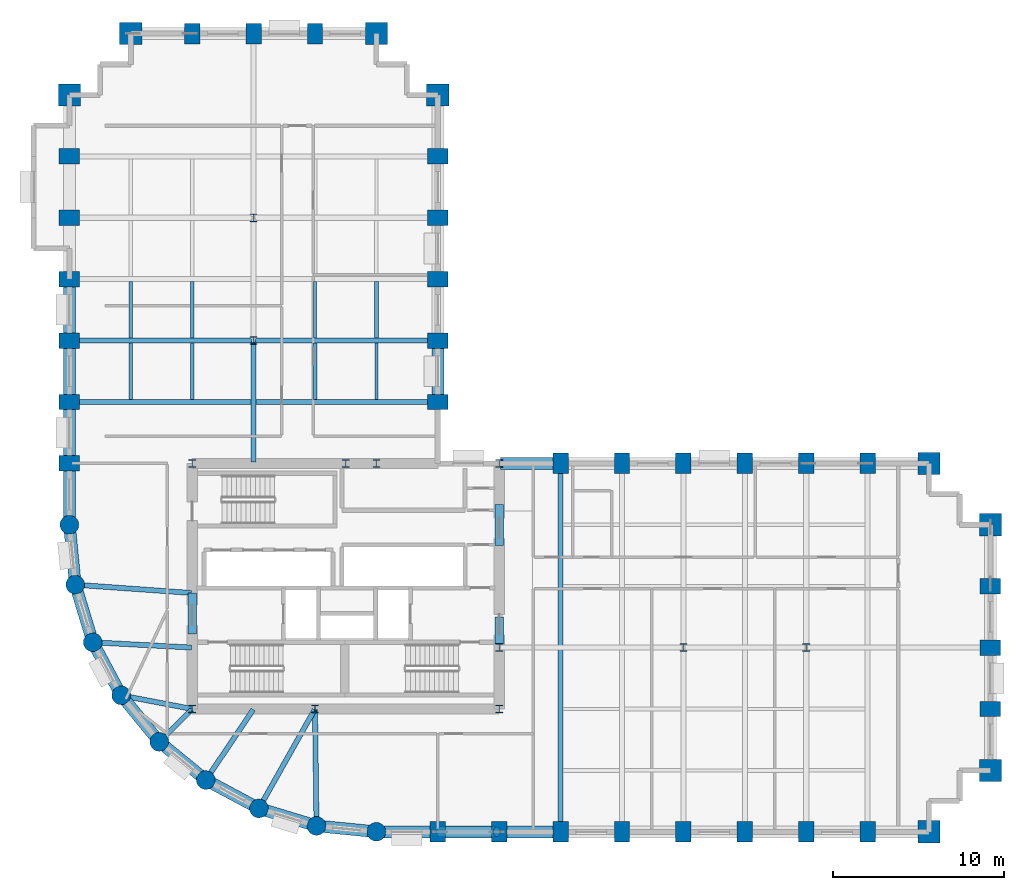
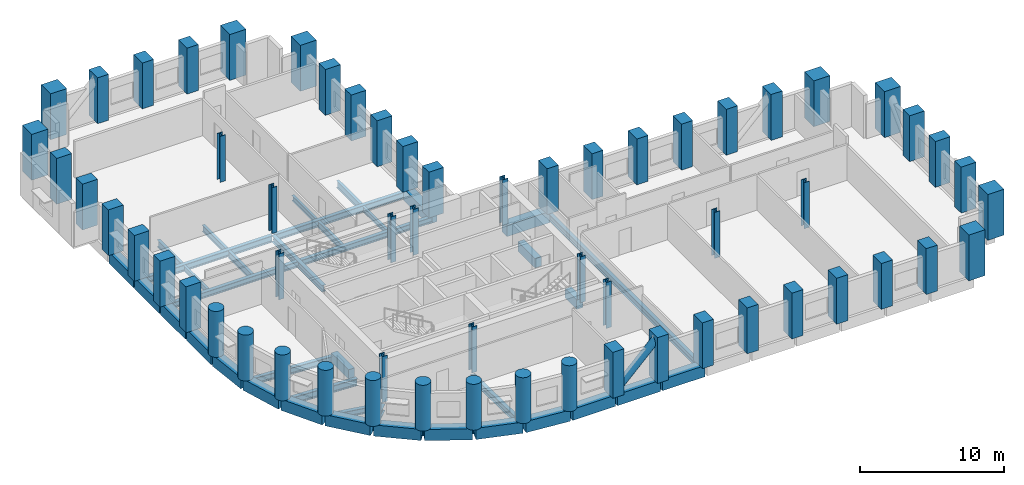
# One storey, part 1 of 11: 60 columns, 40 beams, 1 member.
"""IFC4 building model written with IfcOpenShell, lengths in metres."""

from ifc_helpers import new_model, si_unit, direction, frame, origin, origin_2d, place, context, subcontext, project, spatial, rectangle, circle, hollow_circle, i_section, extrude, material, material_profile, profile_set, type_object, element, save


model = new_model("IFC4")

# Units and contexts
model_context = context("Model", 3, precision=1e-05, world=origin(), true_north=direction((0.0, 1.0)))
body_context = subcontext(model_context, "Body", "Model", "MODEL_VIEW")
ifc_project = project(units=[si_unit("LENGTHUNIT", "METRE"), si_unit("AREAUNIT", "SQUARE_METRE"), si_unit("VOLUMEUNIT", "CUBIC_METRE"), si_unit("PLANEANGLEUNIT", "RADIAN"), si_unit("MASSUNIT", "GRAM", prefix="KILO")], contexts=[model_context])

# Site, building, storey
site_placement = place(None, origin())
site = spatial("IfcSite", under=ifc_project, at=site_placement, CompositionType="ELEMENT")
building_placement = place(site_placement, origin())
building = spatial("IfcBuilding", under=site, at=building_placement, Name="Solnavia Interchange Tower", CompositionType="ELEMENT")
storey_placement = place(building_placement, frame((0.0, 0.0, 55.199951171875)))
storey = spatial("IfcBuildingStorey", under=building, at=storey_placement, Name="L13", CompositionType="ELEMENT", Elevation=55.199951171875)

# Columns
ifc_material_1 = material(Name="Concrete C60/75", Category="concrete")
ifc_material_profile_1 = material_profile(ifc_material_1, rectangle(XDim=0.89990234375, YDim=1.199951171875, at=origin_2d()), Name="RC 1200x900")
ifc_profile_set_1 = profile_set([ifc_material_profile_1], Name="Concrete C60/75")
column_type_1 = type_object("IfcColumnType", Name="Col-RC-1200x900", PredefinedType="COLUMN", material=ifc_profile_set_1)
for number, where, z_axis, x_axis, name in (
    (1, (7.199951171875, 25.199951171875, 0.0), (0.0, 0.0, 1.0), (0.0, 1.0, 0.0), "COL-L13-02 Tower perim y column"),
    (2, (7.199951171875, 28.800048828125, 0.0), (0.0, 0.0, 1.0), (0.0, 1.0, 0.0), "COL-L13-03 Tower perim y column"),
    (3, (7.199951171875, 32.39990234375, 0.0), (0.0, 0.0, 1.0), (0.0, 1.0, 0.0), "COL-L13-04 Tower perim y column"),
    (4, (7.199951171875, 36.0, 0.0), (0.0, 0.0, 1.0), (0.0, 1.0, 0.0), "COL-L13-05 Tower perim y column"),
    (5, (7.199951171875, 39.60009765625, 0.0), (0.0, 0.0, 1.0), (0.0, 1.0, 0.0), "COL-L13-06 Tower perim y column"),
    (6, (7.199951171875, 43.199951171875, 0.0), (0.0, 0.0, 1.0), (0.0, 1.0, 0.0), "COL-L13-07 Tower perim y column"),
    (7, (14.39990234375, 50.39990234375, 0.0), (0.0, 0.0, 1.0), (1.0, 0.0, 0.0), "COL-L13-16 Tower perim x column"),
    (8, (18.0, 50.39990234375, 0.0), (0.0, 0.0, 1.0), (1.0, 0.0, 0.0), "COL-L13-20 Tower perim x column"),
    (9, (21.60009765625, 50.39990234375, 0.0), (0.0, 0.0, 1.0), (1.0, 0.0, 0.0), "COL-L13-23 Tower perim x column"),
    (10, (28.800048828125, 3.60009765625, 0.0), (0.0, 0.0, 1.0), (1.0, 0.0, 0.0), "COL-L13-29 Tower perim x column"),
    (11, (28.800048828125, 28.800048828125, 0.0), (0.0, 0.0, 1.0), (0.0, 1.0, 0.0), "COL-L13-30 Tower perim y column"),
    (12, (28.800048828125, 32.39990234375, 0.0), (0.0, 0.0, 1.0), (0.0, 1.0, 0.0), "COL-L13-31 Tower perim y column"),
    (13, (28.800048828125, 36.0, 0.0), (0.0, 0.0, 1.0), (0.0, 1.0, 0.0), "COL-L13-32 Tower perim y column"),
    (14, (28.800048828125, 39.60009765625, 0.0), (0.0, 0.0, 1.0), (0.0, 1.0, 0.0), "COL-L13-33 Tower perim y column"),
    (15, (28.800048828125, 43.199951171875, 0.0), (0.0, 0.0, 1.0), (0.0, 1.0, 0.0), "COL-L13-34 Tower perim y column"),
    (16, (32.39990234375, 3.60009765625, 0.0), (0.0, 0.0, 1.0), (1.0, 0.0, 0.0), "COL-L13-36 Tower perim x column"),
    (17, (36.0, 3.60009765625, 0.0), (0.0, 0.0, 1.0), (1.0, 0.0, 0.0), "COL-L13-40 Tower perim x column"),
    (18, (36.0, 25.199951171875, 0.0), (0.0, 0.0, 1.0), (1.0, 0.0, 0.0), "COL-L13-41 Tower perim x column"),
    (19, (39.60009765625, 3.60009765625, 0.0), (0.0, 0.0, 1.0), (1.0, 0.0, 0.0), "COL-L13-42 Tower perim x column"),
    (20, (39.60009765625, 25.199951171875, 0.0), (0.0, 0.0, 1.0), (1.0, 0.0, 0.0), "COL-L13-43 Tower perim x column"),
    (21, (43.199951171875, 3.60009765625, 0.0), (0.0, 0.0, 1.0), (1.0, 0.0, 0.0), "COL-L13-44 Tower perim x column"),
    (22, (43.199951171875, 25.199951171875, 0.0), (0.0, 0.0, 1.0), (1.0, 0.0, 0.0), "COL-L13-46 Tower perim x column"),
    (23, (46.800048828125, 3.60009765625, 0.0), (0.0, 0.0, 1.0), (1.0, 0.0, 0.0), "COL-L13-47 Tower perim x column"),
    (24, (46.800048828125, 25.199951171875, 0.0), (0.0, 0.0, 1.0), (1.0, 0.0, 0.0), "COL-L13-48 Tower perim x column"),
    (25, (50.39990234375, 3.60009765625, 0.0), (0.0, 0.0, 1.0), (1.0, 0.0, 0.0), "COL-L13-49 Tower perim x column"),
    (26, (50.39990234375, 25.199951171875, 0.0), (0.0, 0.0, 1.0), (1.0, 0.0, 0.0), "COL-L13-51 Tower perim x column"),
    (27, (54.0, 3.60009765625, 0.0), (0.0, 0.0, 1.0), (1.0, 0.0, 0.0), "COL-L13-52 Tower perim x column"),
    (28, (54.0, 25.199951171875, 0.0), (0.0, 0.0, 1.0), (1.0, 0.0, 0.0), "COL-L13-53 Tower perim x column"),
    (29, (61.199951171875, 10.800048828125, 0.0), (0.0, 0.0, 1.0), (0.0, 1.0, 0.0), "COL-L13-57 Tower perim y column"),
    (30, (61.199951171875, 14.39990234375, 0.0), (0.0, 0.0, 1.0), (0.0, 1.0, 0.0), "COL-L13-58 Tower perim y column"),
    (31, (61.199951171875, 18.0, 0.0), (0.0, 0.0, 1.0), (0.0, 1.0, 0.0), "COL-L13-59 Tower perim y column"),
):
    element("IfcColumn", number, at=place(storey_placement, frame(where, z_axis=z_axis, x_axis=x_axis)), inside=storey, type_object=column_type_1, Name=name, PredefinedType="COLUMN", context=body_context, shape_type="SweptSolid", body=[
        extrude(rectangle(XDim=0.89990234375, YDim=1.199951171875, at=origin_2d()), origin(), (0.0, 0.0, 1.0), 3.900146484375),
    ])
ifc_material_profile_2 = material_profile(ifc_material_1, rectangle(XDim=1.300048828125, YDim=1.300048828125, at=origin_2d()), Name="RC 1300x1300")
ifc_profile_set_2 = profile_set([ifc_material_profile_2], Name="Concrete C60/75")
column_type_2 = type_object("IfcColumnType", Name="Col-RC-1300x1300", PredefinedType="COLUMN", material=ifc_profile_set_2)
for number, where, z_axis, x_axis, name in (
    (32, (7.199951171875, 46.800048828125, 0.0), (0.0, 0.0, 1.0), (0.0, 1.0, 0.0), "COL-L13-08 Tower corner column"),
    (33, (10.800048828125, 50.39990234375, 0.0), (0.0, 0.0, 1.0), (1.0, 0.0, 0.0), "COL-L13-12 Tower corner column"),
    (34, (25.199951171875, 50.39990234375, 0.0), (0.0, 0.0, 1.0), (1.0, 0.0, 0.0), "COL-L13-28 Tower corner column"),
    (35, (28.800048828125, 46.800048828125, 0.0), (0.0, 0.0, 1.0), (0.0, 1.0, 0.0), "COL-L13-35 Tower corner column"),
    (36, (57.60009765625, 3.60009765625, 0.0), (0.0, 0.0, 1.0), (1.0, 0.0, 0.0), "COL-L13-54 Tower corner column"),
    (37, (57.60009765625, 25.199951171875, 0.0), (0.0, 0.0, 1.0), (1.0, 0.0, 0.0), "COL-L13-55 Tower corner column"),
    (38, (61.199951171875, 7.199951171875, 0.0), (0.0, 0.0, 1.0), (1.0, 0.0, 0.0), "COL-L13-56 Tower corner column"),
    (39, (61.199951171875, 21.60009765625, 0.0), (0.0, 0.0, 1.0), (0.0, 1.0, 0.0), "COL-L13-60 Tower corner column"),
):
    element("IfcColumn", number, at=place(storey_placement, frame(where, z_axis=z_axis, x_axis=x_axis)), inside=storey, type_object=column_type_2, Name=name, PredefinedType="COLUMN", context=body_context, shape_type="SweptSolid", body=[
        extrude(rectangle(XDim=1.300048828125, YDim=1.300048828125, at=origin_2d()), origin(), (0.0, 0.0, 1.0), 3.900146484375),
    ])
ifc_material_profile_3 = material_profile(ifc_material_1, circle(Radius=0.550048828125, at=origin_2d()), Name="RC D1100")
ifc_profile_set_3 = profile_set([ifc_material_profile_3], Name="Concrete C60/75")
column_type_3 = type_object("IfcColumnType", Name="Col-RC-D1100", PredefinedType="COLUMN", material=ifc_profile_set_3)
for number, where, z_axis, x_axis, name in (
    (40, (7.199951171875, 21.60009765625, 0.0), (0.0, 0.0, 1.0), (1.0, 0.0, 0.0), "COL-L13-01 Tower drum column"),
    (41, (7.5458984375, 18.087890625, 0.0), (0.0, 0.0, 1.0), (1.0, 0.0, 0.0), "COL-L13-09 Tower drum column"),
    (42, (8.570068359375, 14.7119140625, 0.0), (0.0, 0.0, 1.0), (1.0, 0.0, 0.0), "COL-L13-10 Tower drum column"),
    (43, (10.23388671875, 11.60009765625, 0.0), (0.0, 0.0, 1.0), (1.0, 0.0, 0.0), "COL-L13-11 Tower drum column"),
    (44, (12.471923828125, 8.8720703125, 0.0), (0.0, 0.0, 1.0), (1.0, 0.0, 0.0), "COL-L13-13 Tower drum column"),
    (45, (15.199951171875, 6.634033203125, 0.0), (0.0, 0.0, 1.0), (1.0, 0.0, 0.0), "COL-L13-17 Tower drum column"),
    (46, (18.31201171875, 4.969970703125, 0.0), (0.0, 0.0, 1.0), (1.0, 0.0, 0.0), "COL-L13-21 Tower drum column"),
    (47, (21.68798828125, 3.946044921875, 0.0), (0.0, 0.0, 1.0), (1.0, 0.0, 0.0), "COL-L13-24 Tower drum column"),
    (48, (25.199951171875, 3.60009765625, 0.0), (0.0, 0.0, 1.0), (1.0, 0.0, 0.0), "COL-L13-26 Tower drum column"),
):
    element("IfcColumn", number, at=place(storey_placement, frame(where, z_axis=z_axis, x_axis=x_axis)), inside=storey, type_object=column_type_3, Name=name, PredefinedType="COLUMN", context=body_context, shape_type="SweptSolid", body=[
        extrude(circle(Radius=0.550048828125, at=origin_2d()), origin(), (0.0, 0.0, 1.0), 3.900146484375),
    ])
ifc_material_2 = material(Name="Steel S355", Category="steel")
ifc_material_profile_4 = material_profile(ifc_material_2, i_section(OverallWidth=0.424072265625, OverallDepth=0.467041015625, WebThickness=0.032958984375, FlangeThickness=0.053466796875, FilletRadius=0.014892578125, at=origin_2d()), Name="HD 400x509")
ifc_profile_set_4 = profile_set([ifc_material_profile_4], Name="Steel S355")
column_type_4 = type_object("IfcColumnType", Name="Col-Steel-HD400x509", PredefinedType="COLUMN", material=ifc_profile_set_4)
for number, where, z_axis, x_axis, name in (
    (49, (14.39990234375, 10.800048828125, 0.0), (0.0, 0.0, 1.0), (1.0, 0.0, 0.0), "COL-L13-14 Tower interior column"),
    (50, (14.39990234375, 25.199951171875, 0.0), (0.0, 0.0, 1.0), (1.0, 0.0, 0.0), "COL-L13-15 Tower interior column"),
    (51, (18.0, 32.39990234375, 0.0), (0.0, 0.0, 1.0), (1.0, 0.0, 0.0), "COL-L13-18 Tower interior column"),
    (52, (18.0, 39.60009765625, 0.0), (0.0, 0.0, 1.0), (1.0, 0.0, 0.0), "COL-L13-19 Tower interior column"),
    (53, (21.60009765625, 10.800048828125, 0.0), (0.0, 0.0, 1.0), (1.0, 0.0, 0.0), "COL-L13-22 Tower interior column"),
    (54, (23.39990234375, 25.199951171875, 0.0), (0.0, 0.0, 1.0), (1.0, 0.0, 0.0), "COL-L13-25 Tower interior column"),
    (55, (25.199951171875, 25.199951171875, 0.0), (0.0, 0.0, 1.0), (1.0, 0.0, 0.0), "COL-L13-27 Tower interior column"),
    (56, (32.39990234375, 10.800048828125, 0.0), (0.0, 0.0, 1.0), (1.0, 0.0, 0.0), "COL-L13-37 Tower interior column"),
    (57, (32.39990234375, 14.39990234375, 0.0), (0.0, 0.0, 1.0), (1.0, 0.0, 0.0), "COL-L13-38 Tower interior column"),
    (58, (32.39990234375, 25.199951171875, 0.0), (0.0, 0.0, 1.0), (1.0, 0.0, 0.0), "COL-L13-39 Tower interior column"),
    (59, (43.199951171875, 14.39990234375, 0.0), (0.0, 0.0, 1.0), (1.0, 0.0, 0.0), "COL-L13-45 Tower interior column"),
    (60, (50.39990234375, 14.39990234375, 0.0), (0.0, 0.0, 1.0), (1.0, 0.0, 0.0), "COL-L13-50 Tower interior column"),
):
    element("IfcColumn", number, at=place(storey_placement, frame(where, z_axis=z_axis, x_axis=x_axis)), inside=storey, type_object=column_type_4, Name=name, PredefinedType="COLUMN", context=body_context, shape_type="SweptSolid", body=[
        extrude(i_section(OverallWidth=0.424072265625, OverallDepth=0.467041015625, WebThickness=0.032958984375, FlangeThickness=0.053466796875, FilletRadius=0.014892578125, at=origin_2d()), origin(), (0.0, 0.0, 1.0), 3.900146484375),
    ])

# Beams
ifc_material_3 = material(Name="Concrete C50/60", Category="concrete")
ifc_material_profile_5 = material_profile(ifc_material_3, rectangle(XDim=0.5, YDim=0.800048828125, at=origin_2d()), Name="RC 500x800")
ifc_profile_set_5 = profile_set([ifc_material_profile_5], Name="Concrete C50/60")
beam_type_1 = type_object("IfcBeamType", Name="Beam-Coupling-RC500x800", PredefinedType="LINTEL", material=ifc_profile_set_5)
beam_1_placement = place(storey_placement, frame((14.39990234375, 15.199951171875, -0.39990234375), z_axis=(0.0, 1.0, 0.0), x_axis=(-1.0, 0.0, 0.0)))
element("IfcBeam", 61, at=beam_1_placement, inside=storey, type_object=beam_type_1, Name="CPB-L13-W1 Core coupling lintel beam", PredefinedType="LINTEL", context=body_context, shape_type="SweptSolid", body=[
    extrude(rectangle(XDim=0.5, YDim=0.800048828125, at=origin_2d()), origin(), (0.0, 0.0, 1.0), 2.400146484375),
])
beam_2_placement = place(storey_placement, frame((32.39990234375, 14.60009765625, -0.39990234375), z_axis=(0.0, 1.0, 0.0), x_axis=(-1.0, 0.0, 0.0)))
element("IfcBeam", 62, at=beam_2_placement, inside=storey, type_object=beam_type_1, Name="CPB-L13-E1 Core coupling lintel beam", PredefinedType="LINTEL", context=body_context, shape_type="SweptSolid", body=[
    extrude(rectangle(XDim=0.5, YDim=0.800048828125, at=origin_2d()), origin(), (0.0, 0.0, 1.0), 1.599853515625),
])
beam_3_placement = place(storey_placement, frame((32.39990234375, 20.39990234375, -0.39990234375), z_axis=(0.0, 1.0, 0.0), x_axis=(-1.0, 0.0, 0.0)))
element("IfcBeam", 63, at=beam_3_placement, inside=storey, type_object=beam_type_1, Name="CPB-L13-E2 Core coupling lintel beam", PredefinedType="LINTEL", context=body_context, shape_type="SweptSolid", body=[
    extrude(rectangle(XDim=0.5, YDim=0.800048828125, at=origin_2d()), origin(), (0.0, 0.0, 1.0), 2.400146484375),
])
ifc_material_4 = material(Name="Steel S460", Category="steel")
ifc_material_profile_6 = material_profile(ifc_material_4, i_section(OverallWidth=0.300048828125, OverallDepth=0.550048828125, WebThickness=0.014892578125, FlangeThickness=0.029052734375, FilletRadius=0.027099609375, at=origin_2d()), Name="HEB 550")
ifc_profile_set_6 = profile_set([ifc_material_profile_6], Name="Steel S460")
beam_type_2 = type_object("IfcBeamType", Name="Beam-Girder-HEB550", PredefinedType="BEAM", material=ifc_profile_set_6)
beam_4_placement = place(storey_placement, frame((36.0, 3.679931640625, -0.52490234375), z_axis=(0.0, 1.0, 0.0), x_axis=(-1.0, 0.0, 0.0)))
element("IfcBeam", 64, at=beam_4_placement, inside=storey, type_object=beam_type_2, Name="GRD-L13-EW04 East wing primary floor girder", PredefinedType="BEAM", context=body_context, shape_type="SweptSolid", body=[
    extrude(i_section(OverallWidth=0.300048828125, OverallDepth=0.550048828125, WebThickness=0.014892578125, FlangeThickness=0.029052734375, FilletRadius=0.027099609375, at=origin_2d()), origin(), (0.0, 0.0, 1.0), 21.440185546875),
])
beam_5_placement = place(storey_placement, frame((18.0, 25.280029296875, -0.52490234375), z_axis=(0.0, 1.0, 0.0), x_axis=(-1.0, 0.0, 0.0)))
element("IfcBeam", 65, at=beam_5_placement, inside=storey, type_object=beam_type_2, Name="GRD-L13-NS12 North wing spine girder", PredefinedType="BEAM", context=body_context, shape_type="SweptSolid", body=[
    extrude(i_section(OverallWidth=0.300048828125, OverallDepth=0.550048828125, WebThickness=0.014892578125, FlangeThickness=0.029052734375, FilletRadius=0.027099609375, at=origin_2d()), origin(), (0.0, 0.0, 1.0), 7.0400390625),
])
for number, where, z_axis, x_axis, name in (
    (66, (7.280029296875, 32.39990234375, -0.52490234375), (1.0, 0.0, 0.0), (0.0, 1.0, 0.0), "GRD-L13-NW16 North wing primary floor girder"),
    (67, (18.080078125, 32.39990234375, -0.52490234375), (1.0, 0.0, 0.0), (0.0, 1.0, 0.0), "GRD-L13-NW17 North wing primary floor girder"),
):
    element("IfcBeam", number, at=place(storey_placement, frame(where, z_axis=z_axis, x_axis=x_axis)), inside=storey, type_object=beam_type_2, Name=name, PredefinedType="BEAM", context=body_context, shape_type="SweptSolid", body=[
        extrude(i_section(OverallWidth=0.300048828125, OverallDepth=0.550048828125, WebThickness=0.014892578125, FlangeThickness=0.029052734375, FilletRadius=0.027099609375, at=origin_2d()), origin(), (0.0, 0.0, 1.0), 10.639892578125),
    ])
beam_6_placement = place(storey_placement, frame((7.625732421875, 18.082275390625, -0.52490234375), z_axis=(0.99747482749, -0.071020902015, 0.0), x_axis=(0.071020902015, 0.99747482749, 0.0)))
element("IfcBeam", 68, at=beam_6_placement, inside=storey, type_object=beam_type_2, Name="GRD-L13-DR22 Drum radial floor girder", PredefinedType="BEAM", context=body_context, shape_type="SweptSolid", body=[
    extrude(i_section(OverallWidth=0.300048828125, OverallDepth=0.550048828125, WebThickness=0.014892578125, FlangeThickness=0.029052734375, FilletRadius=0.027099609375, at=origin_2d()), origin(), (0.0, 0.0, 1.0), 6.75146484375),
])
beam_7_placement = place(storey_placement, frame((12.528564453125, 8.9287109375, -0.52490234375), z_axis=(0.707106781187, 0.707106781187, 0.0), x_axis=(-0.707106781187, 0.707106781187, 0.0)))
element("IfcBeam", 69, at=beam_7_placement, inside=storey, type_object=beam_type_2, Name="GRD-L13-DR25 Drum radial floor girder", PredefinedType="BEAM", context=body_context, shape_type="SweptSolid", body=[
    extrude(i_section(OverallWidth=0.300048828125, OverallDepth=0.550048828125, WebThickness=0.014892578125, FlangeThickness=0.029052734375, FilletRadius=0.027099609375, at=origin_2d()), origin(), (0.0, 0.0, 1.0), 2.6064453125),
])
beam_8_placement = place(storey_placement, frame((21.68701171875, 4.02587890625, -0.52490234375), z_axis=(-0.01283293513, 0.999917654498, 0.0), x_axis=(-0.999917654498, -0.01283293513, 0.0)))
element("IfcBeam", 70, at=beam_8_placement, inside=storey, type_object=beam_type_2, Name="GRD-L13-DR28 Drum radial floor girder", PredefinedType="BEAM", context=body_context, shape_type="SweptSolid", body=[
    extrude(i_section(OverallWidth=0.300048828125, OverallDepth=0.550048828125, WebThickness=0.014892578125, FlangeThickness=0.029052734375, FilletRadius=0.027099609375, at=origin_2d()), origin(), (0.0, 0.0, 1.0), 6.734619140625),
])
ifc_material_profile_7 = material_profile(ifc_material_2, i_section(OverallWidth=0.18994140625, OverallDepth=0.449951171875, WebThickness=0.009521484375, FlangeThickness=0.0146484375, FilletRadius=0.02099609375, at=origin_2d()), Name="IPE 450")
ifc_profile_set_7 = profile_set([ifc_material_profile_7], Name="Steel S355")
beam_type_3 = type_object("IfcBeamType", Name="Beam-Joist-IPE450", PredefinedType="JOIST", material=ifc_profile_set_7)
for number, where, z_axis, x_axis, name in (
    (71, (10.800048828125, 28.949951171875, -0.474853515625), (0.0, 1.0, 0.0), (-1.0, 0.0, 0.0), "JST-L13-N21 North wing secondary joist"),
    (72, (21.60009765625, 32.550048828125, -0.474853515625), (0.0, 1.0, 0.0), (-1.0, 0.0, 0.0), "JST-L13-N30 North wing secondary joist"),
    (73, (25.199951171875, 28.949951171875, -0.474853515625), (0.0, 1.0, 0.0), (-1.0, 0.0, 0.0), "JST-L13-N33 North wing secondary joist"),
):
    element("IfcBeam", number, at=place(storey_placement, frame(where, z_axis=z_axis, x_axis=x_axis)), inside=storey, type_object=beam_type_3, Name=name, PredefinedType="JOIST", context=body_context, shape_type="SweptSolid", body=[
        extrude(i_section(OverallWidth=0.18994140625, OverallDepth=0.449951171875, WebThickness=0.009521484375, FlangeThickness=0.0146484375, FilletRadius=0.02099609375, at=origin_2d()), origin(), (0.0, 0.0, 1.0), 3.300048828125),
    ])
ifc_material_profile_8 = material_profile(ifc_material_2, i_section(OverallWidth=0.2099609375, OverallDepth=0.550048828125, WebThickness=0.010986328125, FlangeThickness=0.01708984375, FilletRadius=0.02392578125, at=origin_2d()), Name="IPE 550")
ifc_profile_set_8 = profile_set([ifc_material_profile_8], Name="Steel S355")
beam_type_4 = type_object("IfcBeamType", Name="Beam-Joist-IPE550", PredefinedType="JOIST", material=ifc_profile_set_8)
for number, where, z_axis, x_axis, name in (
    (74, (14.39990234375, 32.550048828125, -0.52490234375), (0.0, 1.0, 0.0), (-1.0, 0.0, 0.0), "JST-L13-N26 North wing secondary joist"),
    (75, (21.60009765625, 28.949951171875, -0.52490234375), (0.0, 1.0, 0.0), (-1.0, 0.0, 0.0), "JST-L13-N29 North wing secondary joist"),
):
    element("IfcBeam", number, at=place(storey_placement, frame(where, z_axis=z_axis, x_axis=x_axis)), inside=storey, type_object=beam_type_4, Name=name, PredefinedType="JOIST", context=body_context, shape_type="SweptSolid", body=[
        extrude(i_section(OverallWidth=0.2099609375, OverallDepth=0.550048828125, WebThickness=0.010986328125, FlangeThickness=0.01708984375, FilletRadius=0.02392578125, at=origin_2d()), origin(), (0.0, 0.0, 1.0), 3.300048828125),
    ])
ifc_material_profile_9 = material_profile(ifc_material_2, i_section(OverallWidth=0.219970703125, OverallDepth=0.60009765625, WebThickness=0.011962890625, FlangeThickness=0.01904296875, FilletRadius=0.02392578125, at=origin_2d()), Name="IPE 600")
ifc_profile_set_9 = profile_set([ifc_material_profile_9], Name="Steel S355")
beam_type_5 = type_object("IfcBeamType", Name="Beam-Joist-IPE600", PredefinedType="JOIST", material=ifc_profile_set_9)
for number, where, z_axis, x_axis, name in (
    (76, (10.800048828125, 32.550048828125, -0.550048828125), (0.0, 1.0, 0.0), (-1.0, 0.0, 0.0), "JST-L13-N22 North wing secondary joist"),
    (77, (14.39990234375, 28.949951171875, -0.550048828125), (0.0, 1.0, 0.0), (-1.0, 0.0, 0.0), "JST-L13-N25 North wing secondary joist"),
    (78, (25.199951171875, 32.550048828125, -0.550048828125), (0.0, 1.0, 0.0), (-1.0, 0.0, 0.0), "JST-L13-N34 North wing secondary joist"),
):
    element("IfcBeam", number, at=place(storey_placement, frame(where, z_axis=z_axis, x_axis=x_axis)), inside=storey, type_object=beam_type_5, Name=name, PredefinedType="JOIST", context=body_context, shape_type="SweptSolid", body=[
        extrude(i_section(OverallWidth=0.219970703125, OverallDepth=0.60009765625, WebThickness=0.011962890625, FlangeThickness=0.01904296875, FilletRadius=0.02392578125, at=origin_2d()), origin(), (0.0, 0.0, 1.0), 3.300048828125),
    ])
ifc_material_profile_10 = material_profile(ifc_material_2, i_section(OverallWidth=0.300048828125, OverallDepth=0.489990234375, WebThickness=0.011962890625, FlangeThickness=0.02294921875, FilletRadius=0.027099609375, at=origin_2d()), Name="HEA 500")
ifc_profile_set_10 = profile_set([ifc_material_profile_10], Name="Steel S355")
beam_type_6 = type_object("IfcBeamType", Name="Beam-Primary-HEA500", PredefinedType="BEAM", material=ifc_profile_set_10)
beam_9_placement = place(storey_placement, frame((7.280029296875, 28.800048828125, -0.494873046875), z_axis=(1.0, 0.0, 0.0), x_axis=(0.0, 1.0, 0.0)))
element("IfcBeam", 79, at=beam_9_placement, inside=storey, type_object=beam_type_6, Name="GRD-L13-NW15 North wing primary floor girder", PredefinedType="BEAM", context=body_context, shape_type="SweptSolid", body=[
    extrude(i_section(OverallWidth=0.300048828125, OverallDepth=0.489990234375, WebThickness=0.011962890625, FlangeThickness=0.02294921875, FilletRadius=0.027099609375, at=origin_2d()), origin(), (0.0, 0.0, 1.0), 21.43994140625),
])
beam_10_placement = place(storey_placement, frame((10.3125, 11.5849609375, -0.494873046875), z_axis=(0.982057527796, -0.188581579428, 0.0), x_axis=(0.188581579428, 0.982057527796, 0.0)))
element("IfcBeam", 80, at=beam_10_placement, inside=storey, type_object=beam_type_6, Name="GRD-L13-DR24 Drum radial floor girder", PredefinedType="BEAM", context=body_context, shape_type="SweptSolid", body=[
    extrude(i_section(OverallWidth=0.300048828125, OverallDepth=0.489990234375, WebThickness=0.011962890625, FlangeThickness=0.02294921875, FilletRadius=0.027099609375, at=origin_2d()), origin(), (0.0, 0.0, 1.0), 4.1220703125),
])
beam_11_placement = place(storey_placement, frame((18.351318359375, 5.039794921875, -0.494873046875), z_axis=(0.491243158486, 0.871022479182, 0.0), x_axis=(-0.871022479182, 0.491243158486, 0.0)))
element("IfcBeam", 81, at=beam_11_placement, inside=storey, type_object=beam_type_6, Name="GRD-L13-DR27 Drum radial floor girder", PredefinedType="BEAM", context=body_context, shape_type="SweptSolid", body=[
    extrude(i_section(OverallWidth=0.300048828125, OverallDepth=0.489990234375, WebThickness=0.011962890625, FlangeThickness=0.02294921875, FilletRadius=0.027099609375, at=origin_2d()), origin(), (0.0, 0.0, 1.0), 6.5732421875),
])
ifc_material_profile_11 = material_profile(ifc_material_2, i_section(OverallWidth=0.300048828125, OverallDepth=0.590087890625, WebThickness=0.012939453125, FlangeThickness=0.02490234375, FilletRadius=0.027099609375, at=origin_2d()), Name="HEA 600")
ifc_profile_set_11 = profile_set([ifc_material_profile_11], Name="Steel S355")
beam_type_7 = type_object("IfcBeamType", Name="Beam-Primary-HEA600", PredefinedType="BEAM", material=ifc_profile_set_11)
beam_12_placement = place(storey_placement, frame((8.64990234375, 14.707763671875, -0.544921875), z_axis=(0.998570371303, -0.053452909696, 0.0), x_axis=(0.053452909696, 0.998570371303, 0.0)))
element("IfcBeam", 82, at=beam_12_placement, inside=storey, type_object=beam_type_7, Name="GRD-L13-DR23 Drum radial floor girder", PredefinedType="BEAM", context=body_context, shape_type="SweptSolid", body=[
    extrude(i_section(OverallWidth=0.300048828125, OverallDepth=0.590087890625, WebThickness=0.012939453125, FlangeThickness=0.02490234375, FilletRadius=0.027099609375, at=origin_2d()), origin(), (0.0, 0.0, 1.0), 5.71826171875),
])
beam_13_placement = place(storey_placement, frame((15.24462890625, 6.700439453125, -0.544921875), z_axis=(0.557835474219, 0.829951555033, 0.0), x_axis=(-0.829951555033, 0.557835474219, 0.0)))
element("IfcBeam", 83, at=beam_13_placement, inside=storey, type_object=beam_type_7, Name="GRD-L13-DR26 Drum radial floor girder", PredefinedType="BEAM", context=body_context, shape_type="SweptSolid", body=[
    extrude(i_section(OverallWidth=0.300048828125, OverallDepth=0.590087890625, WebThickness=0.012939453125, FlangeThickness=0.02490234375, FilletRadius=0.027099609375, at=origin_2d()), origin(), (0.0, 0.0, 1.0), 4.899658203125),
])
ifc_material_profile_12 = material_profile(ifc_material_3, rectangle(XDim=0.699951171875, YDim=0.949951171875, at=origin_2d()), Name="RC 700x950")
ifc_profile_set_12 = profile_set([ifc_material_profile_12], Name="Concrete C50/60")
beam_type_8 = type_object("IfcBeamType", Name="Beam-Spandrel-RC700x950", PredefinedType="SPANDREL", material=ifc_profile_set_12)
beam_14_placement = place(storey_placement, frame((7.207763671875, 21.5205078125, -0.474853515625), z_axis=(0.098040038117, -0.995182471171, 0.0), x_axis=(0.995182471171, 0.098040038117, 0.0)))
element("IfcBeam", 84, at=beam_14_placement, inside=storey, type_object=beam_type_8, Name="SPB-L13-01 Framed-tube perimeter spandrel beam", PredefinedType="SPANDREL", context=body_context, shape_type="SweptSolid", body=[
    extrude(rectangle(XDim=0.699951171875, YDim=0.949951171875, at=origin_2d()), origin(), (0.0, 0.0, 1.0), 3.369140625),
])
beam_15_placement = place(storey_placement, frame((7.569091796875, 18.011474609375, -0.474853515625), z_axis=(0.290319223646, -0.956929855518, 0.0), x_axis=(0.956929855518, 0.290319223646, 0.0)))
element("IfcBeam", 85, at=beam_15_placement, inside=storey, type_object=beam_type_8, Name="SPB-L13-02 Framed-tube perimeter spandrel beam", PredefinedType="SPANDREL", context=body_context, shape_type="SweptSolid", body=[
    extrude(rectangle(XDim=0.699951171875, YDim=0.949951171875, at=origin_2d()), origin(), (0.0, 0.0, 1.0), 3.367919921875),
])
beam_16_placement = place(storey_placement, frame((8.607666015625, 14.6416015625, -0.474853515625), z_axis=(0.471509422952, -0.881861023102, 0.0), x_axis=(0.881861023102, 0.471509422952, 0.0)))
element("IfcBeam", 86, at=beam_16_placement, inside=storey, type_object=beam_type_8, Name="SPB-L13-03 Framed-tube perimeter spandrel beam", PredefinedType="SPANDREL", context=body_context, shape_type="SweptSolid", body=[
    extrude(rectangle(XDim=0.699951171875, YDim=0.949951171875, at=origin_2d()), origin(), (0.0, 0.0, 1.0), 3.369140625),
])
for number, where, z_axis, x_axis, name in (
    (87, (10.28466796875, 11.5380859375, -0.474853515625), (0.634298841675, -0.773087950656, 0.0), (0.773087950656, 0.634298841675, 0.0), "SPB-L13-04 Framed-tube perimeter spandrel beam"),
    (88, (12.53369140625, 8.8212890625, -0.474853515625), (0.773152644452, -0.634219984214, 0.0), (0.634219984214, 0.773152644452, 0.0), "SPB-L13-05 Framed-tube perimeter spandrel beam"),
):
    element("IfcBeam", number, at=place(storey_placement, frame(where, z_axis=z_axis, x_axis=x_axis)), inside=storey, type_object=beam_type_8, Name=name, PredefinedType="SPANDREL", context=body_context, shape_type="SweptSolid", body=[
        extrude(rectangle(XDim=0.699951171875, YDim=0.949951171875, at=origin_2d()), origin(), (0.0, 0.0, 1.0), 3.36865234375),
    ])
beam_17_placement = place(storey_placement, frame((15.2705078125, 6.59619140625, -0.474853515625), z_axis=(0.881875044348, -0.47148319817, 0.0), x_axis=(0.47148319817, 0.881875044348, 0.0)))
element("IfcBeam", 89, at=beam_17_placement, inside=storey, type_object=beam_type_8, Name="SPB-L13-06 Framed-tube perimeter spandrel beam", PredefinedType="SPANDREL", context=body_context, shape_type="SweptSolid", body=[
    extrude(rectangle(XDim=0.699951171875, YDim=0.949951171875, at=origin_2d()), origin(), (0.0, 0.0, 1.0), 3.368896484375),
])
beam_18_placement = place(storey_placement, frame((18.388671875, 4.94677734375, -0.474853515625), z_axis=(0.956943884494, -0.290272978297, 0.0), x_axis=(0.290272978297, 0.956943884494, 0.0)))
element("IfcBeam", 90, at=beam_18_placement, inside=storey, type_object=beam_type_8, Name="SPB-L13-07 Framed-tube perimeter spandrel beam", PredefinedType="SPANDREL", context=body_context, shape_type="SweptSolid", body=[
    extrude(rectangle(XDim=0.699951171875, YDim=0.949951171875, at=origin_2d()), origin(), (0.0, 0.0, 1.0), 3.36767578125),
])
beam_19_placement = place(storey_placement, frame((21.767578125, 3.938232421875, -0.474853515625), z_axis=(0.995181774609, -0.098047108501, 0.0), x_axis=(0.098047108501, 0.995181774609, 0.0)))
element("IfcBeam", 91, at=beam_19_placement, inside=storey, type_object=beam_type_8, Name="SPB-L13-08 Framed-tube perimeter spandrel beam", PredefinedType="SPANDREL", context=body_context, shape_type="SweptSolid", body=[
    extrude(rectangle(XDim=0.699951171875, YDim=0.949951171875, at=origin_2d()), origin(), (0.0, 0.0, 1.0), 3.368896484375),
])
beam_20_placement = place(storey_placement, frame((25.280029296875, 3.60009765625, -0.474853515625), z_axis=(1.0, 0.0, 0.0), x_axis=(0.0, 1.0, 0.0)))
element("IfcBeam", 92, at=beam_20_placement, inside=storey, type_object=beam_type_8, Name="SPB-L13-09 Framed-tube perimeter spandrel beam", PredefinedType="SPANDREL", context=body_context, shape_type="SweptSolid", body=[
    extrude(rectangle(XDim=0.699951171875, YDim=0.949951171875, at=origin_2d()), origin(), (0.0, 0.0, 1.0), 3.43994140625),
])
beam_21_placement = place(storey_placement, frame((28.8798828125, 3.60009765625, -0.474853515625), z_axis=(1.0, 0.0, 0.0), x_axis=(0.0, 1.0, 0.0)))
element("IfcBeam", 93, at=beam_21_placement, inside=storey, type_object=beam_type_8, Name="SPB-L13-10 Framed-tube perimeter spandrel beam", PredefinedType="SPANDREL", context=body_context, shape_type="SweptSolid", body=[
    extrude(rectangle(XDim=0.699951171875, YDim=0.949951171875, at=origin_2d()), origin(), (0.0, 0.0, 1.0), 3.440185546875),
])
for number, where, z_axis, x_axis, name in (
    (94, (32.47998046875, 3.60009765625, -0.474853515625), (1.0, 0.0, 0.0), (0.0, 1.0, 0.0), "SPB-L13-11 Framed-tube perimeter spandrel beam"),
    (95, (35.919921875, 25.199951171875, -0.474853515625), (-1.0, 0.0, 0.0), (0.0, -1.0, 0.0), "SPB-L13-28 Framed-tube perimeter spandrel beam"),
):
    element("IfcBeam", number, at=place(storey_placement, frame(where, z_axis=z_axis, x_axis=x_axis)), inside=storey, type_object=beam_type_8, Name=name, PredefinedType="SPANDREL", context=body_context, shape_type="SweptSolid", body=[
        extrude(rectangle(XDim=0.699951171875, YDim=0.949951171875, at=origin_2d()), origin(), (0.0, 0.0, 1.0), 3.43994140625),
    ])
beam_22_placement = place(storey_placement, frame((28.800048828125, 28.8798828125, -0.474853515625), z_axis=(0.0, 1.0, 0.0), x_axis=(-1.0, 0.0, 0.0)))
element("IfcBeam", 96, at=beam_22_placement, inside=storey, type_object=beam_type_8, Name="SPB-L13-29 Framed-tube perimeter spandrel beam", PredefinedType="SPANDREL", context=body_context, shape_type="SweptSolid", body=[
    extrude(rectangle(XDim=0.699951171875, YDim=0.949951171875, at=origin_2d()), origin(), (0.0, 0.0, 1.0), 3.440185546875),
])
beam_23_placement = place(storey_placement, frame((7.199951171875, 35.919921875, -0.474853515625), z_axis=(0.0, -1.0, 0.0), x_axis=(1.0, 0.0, 0.0)))
element("IfcBeam", 97, at=beam_23_placement, inside=storey, type_object=beam_type_8, Name="SPB-L13-41 Framed-tube perimeter spandrel beam", PredefinedType="SPANDREL", context=body_context, shape_type="SweptSolid", body=[
    extrude(rectangle(XDim=0.699951171875, YDim=0.949951171875, at=origin_2d()), origin(), (0.0, 0.0, 1.0), 3.43994140625),
])
beam_24_placement = place(storey_placement, frame((7.199951171875, 32.320068359375, -0.474853515625), z_axis=(0.0, -1.0, 0.0), x_axis=(1.0, 0.0, 0.0)))
element("IfcBeam", 98, at=beam_24_placement, inside=storey, type_object=beam_type_8, Name="SPB-L13-42 Framed-tube perimeter spandrel beam", PredefinedType="SPANDREL", context=body_context, shape_type="SweptSolid", body=[
    extrude(rectangle(XDim=0.699951171875, YDim=0.949951171875, at=origin_2d()), origin(), (0.0, 0.0, 1.0), 3.440185546875),
])
beam_25_placement = place(storey_placement, frame((7.199951171875, 28.719970703125, -0.474853515625), z_axis=(0.0, -1.0, 0.0), x_axis=(1.0, 0.0, 0.0)))
element("IfcBeam", 99, at=beam_25_placement, inside=storey, type_object=beam_type_8, Name="SPB-L13-43 Framed-tube perimeter spandrel beam", PredefinedType="SPANDREL", context=body_context, shape_type="SweptSolid", body=[
    extrude(rectangle(XDim=0.699951171875, YDim=0.949951171875, at=origin_2d()), origin(), (0.0, 0.0, 1.0), 3.43994140625),
])
beam_26_placement = place(storey_placement, frame((7.199951171875, 25.1201171875, -0.474853515625), z_axis=(0.0, -1.0, 0.0), x_axis=(1.0, 0.0, 0.0)))
element("IfcBeam", 100, at=beam_26_placement, inside=storey, type_object=beam_type_8, Name="SPB-L13-44 Framed-tube perimeter spandrel beam", PredefinedType="SPANDREL", context=body_context, shape_type="SweptSolid", body=[
    extrude(rectangle(XDim=0.699951171875, YDim=0.949951171875, at=origin_2d()), origin(), (0.0, 0.0, 1.0), 3.440185546875),
])

# Member
ifc_material_profile_13 = material_profile(ifc_material_4, hollow_circle(Radius=0.304931640625, WallThickness=0.02490234375, at=origin_2d()), Name="CHS 610x25")
ifc_profile_set_13 = profile_set([ifc_material_profile_13], Name="Steel S460")
member_type = type_object("IfcMemberType", Name="Brace-Perim-CHS610", PredefinedType="BRACE", material=ifc_profile_set_13)
member_placement = place(storey_placement, frame((28.93994140625, 3.60009765625, 0.179931640625), z_axis=(0.710311792477, 0.0, 0.703887176661), x_axis=(0.0, 1.0, 0.0)))
element("IfcMember", 101, at=member_placement, inside=storey, type_object=member_type, Name="BRC-L13-01 Perimeter tube diagonal brace", PredefinedType="BRACE", context=body_context, shape_type="SweptSolid", body=[
    extrude(hollow_circle(Radius=0.304931640625, WallThickness=0.02490234375, at=origin_2d()), origin(), (0.0, 0.0, 1.0), 4.674072265625),
])

save(model, "model.ifc")
